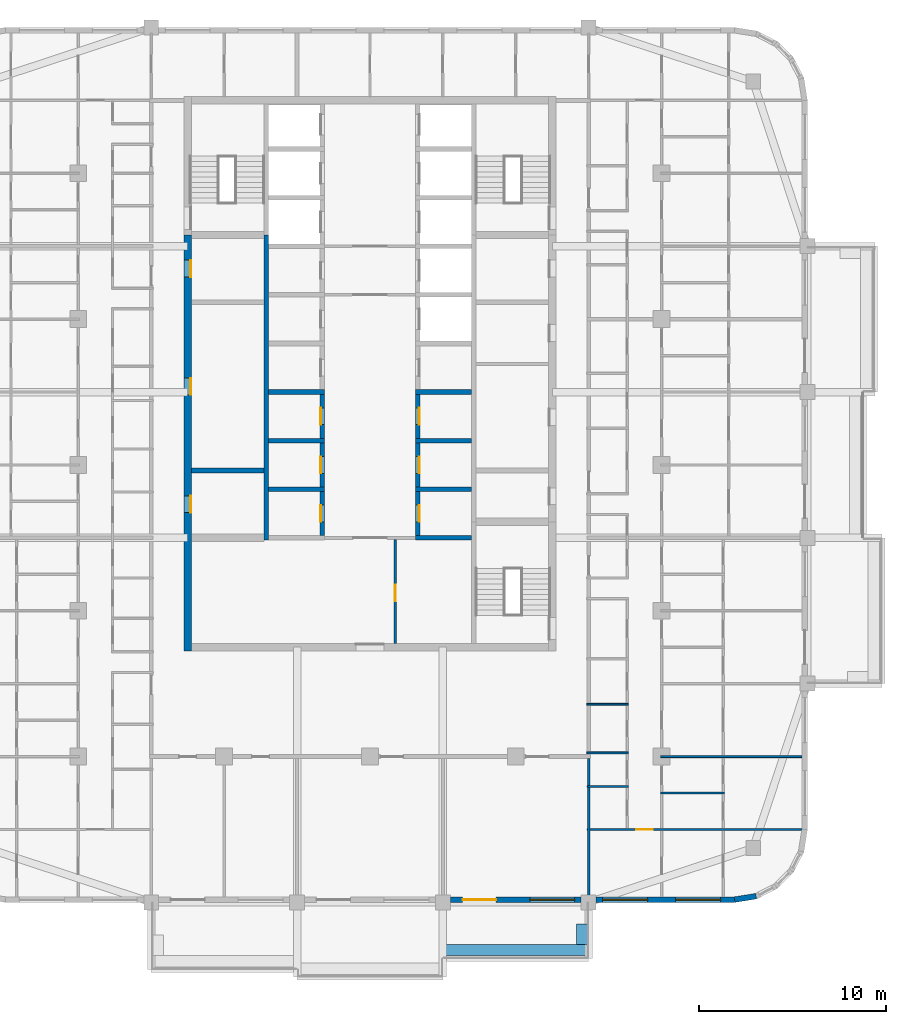
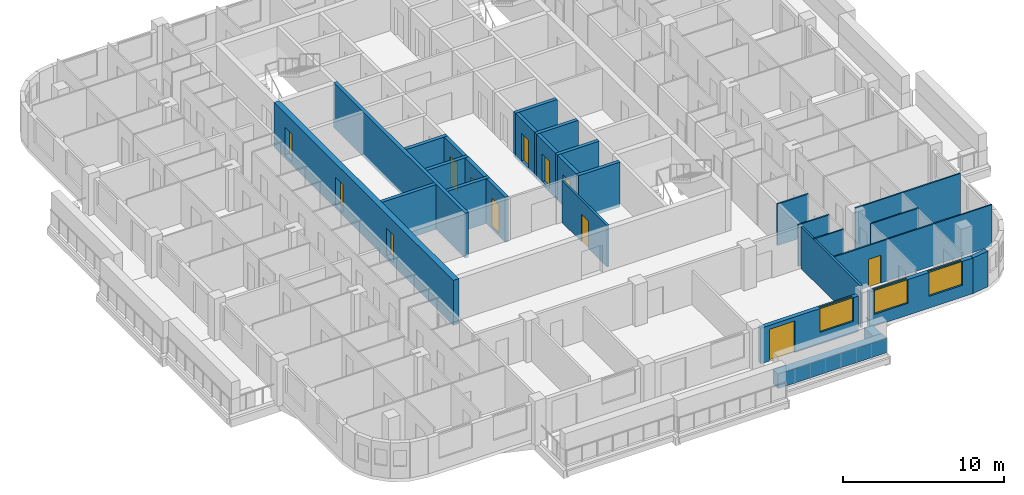
# One storey, part 5 of 16: 29 walls, 12 doors, 3 windows, 15 openings.
"""IFC4 building model written with IfcOpenShell, lengths in metres."""

from ifc_helpers import new_model, si_unit, direction, frame, frame_2d, origin, place, context, subcontext, project, spatial, rectangle, extrude, material, layer, layer_set, type_object, element, fill, save


model = new_model("IFC4")

# Units and contexts
model_context = context("Model", 3, precision=1e-05, world=origin(), true_north=direction((0.0, 1.0)))
body_context = subcontext(model_context, "Body", "Model", "MODEL_VIEW")
ifc_project = project(units=[si_unit("LENGTHUNIT", "METRE"), si_unit("AREAUNIT", "SQUARE_METRE"), si_unit("VOLUMEUNIT", "CUBIC_METRE"), si_unit("PLANEANGLEUNIT", "RADIAN"), si_unit("MASSUNIT", "GRAM", prefix="KILO")], contexts=[model_context])

# Site, building, storey
site_placement = place(None, origin())
site = spatial("IfcSite", under=ifc_project, at=site_placement, CompositionType="ELEMENT")
building_placement = place(site_placement, origin())
building = spatial("IfcBuilding", under=site, at=building_placement, Name="Ludao Terraces", CompositionType="ELEMENT")
storey_placement = place(building_placement, frame((0.0, 0.0, 204.10009765625)))
storey = spatial("IfcBuildingStorey", under=building, at=storey_placement, Name="L55", CompositionType="ELEMENT", Elevation=204.10009765625)

# Wall, openings, doors
ifc_material_1 = material(Name="Concrete C50", Category="concrete")
ifc_layer_1 = layer(ifc_material_1, 0.39990234375)
ifc_layer_set_1 = layer_set([ifc_layer_1], Name="Core wall 400 C50")
wall_type_1 = type_object("IfcWallType", Name="Core wall 400 C50", PredefinedType="SOLIDWALL", material=ifc_layer_set_1)
wall_1_placement = place(storey_placement, frame((75.25, 55.050048828125, -0.25), z_axis=(0.0, 0.0, 1.0), x_axis=(0.0, 1.0, 0.0)))
wall_1 = element("IfcWall", 1, at=wall_1_placement, inside=storey, type_object=wall_type_1, Name="Core wall L55 outer-W", PredefinedType="SOLIDWALL", context=body_context, shape_type="SweptSolid", body=[
    extrude(rectangle(XDim=22.25, YDim=0.39990234375, at=frame_2d((11.125, 0.0))), origin(), (0.0, 0.0, 1.0), 3.39990234375),
])
opening_1_placement = place(wall_1_placement, frame((7.39990234375, 0.0, 0.25)))
opening_1 = element("IfcOpeningElement", 2, at=opening_1_placement, cuts=wall_1, Name="Opening R20-055", PredefinedType="OPENING", context=body_context, shape_type="SweptSolid", body=[
    extrude(rectangle(XDim=0.89990234375, YDim=2.10009765625, at=frame_2d((0.449951171875, 1.050048828125))), frame((0.0, 0.2099609375, 0.0), z_axis=(0.0, -1.0, 0.0), x_axis=(1.0, 0.0, 0.0)), (0.0, 0.0, 1.0), 0.419921875),
])
opening_2_placement = place(wall_1_placement, frame((13.699951171875, 0.0, 0.25)))
opening_2 = element("IfcOpeningElement", 3, at=opening_2_placement, cuts=wall_1, Name="Opening R20-075", PredefinedType="OPENING", context=body_context, shape_type="SweptSolid", body=[
    extrude(rectangle(XDim=0.89990234375, YDim=2.10009765625, at=frame_2d((0.449951171875, 1.050048828125))), frame((0.0, 0.2099609375, 0.0), z_axis=(0.0, -1.0, 0.0), x_axis=(1.0, 0.0, 0.0)), (0.0, 0.0, 1.0), 0.419921875),
])
opening_3_placement = place(wall_1_placement, frame((20.0, 0.0, 0.25)))
opening_3 = element("IfcOpeningElement", 4, at=opening_3_placement, cuts=wall_1, Name="Opening R20-096", PredefinedType="OPENING", context=body_context, shape_type="SweptSolid", body=[
    extrude(rectangle(XDim=0.89990234375, YDim=2.10009765625, at=frame_2d((0.449951171875, 1.050048828125))), frame((0.0, 0.2099609375, 0.0), z_axis=(0.0, -1.0, 0.0), x_axis=(1.0, 0.0, 0.0)), (0.0, 0.0, 1.0), 0.419921875),
])
ifc_material_2 = material(Name="Steel Q235", Category="steel")
door_type_1 = type_object("IfcDoorType", Name="INT Riser door 900", OperationType="SINGLE_SWING_LEFT", PredefinedType="DOOR", material=ifc_material_2)
door_1_placement = place(opening_1_placement, origin())
door_1 = element("IfcDoor", 5, at=door_1_placement, inside=storey, type_object=door_type_1, Name="DOOR 055", OperationType="SINGLE_SWING_RIGHT", OverallHeight=2.10009765625, OverallWidth=0.89990234375, PredefinedType="DOOR", context=body_context, shape_type="SweptSolid", body=[
    extrude(rectangle(XDim=0.89990234375, YDim=2.10009765625, at=frame_2d((0.449951171875, 1.050048828125))), frame((0.0, -0.134765625, 0.0), z_axis=(0.0, -1.0, 0.0), x_axis=(1.0, 0.0, 0.0)), (0.0, 0.0, 1.0), 0.050048828125),
])
fill(opening_1, door_1)
door_2_placement = place(opening_3_placement, origin())
door_2 = element("IfcDoor", 6, at=door_2_placement, inside=storey, type_object=door_type_1, Name="DOOR 096", OperationType="SINGLE_SWING_LEFT", OverallHeight=2.10009765625, OverallWidth=0.89990234375, PredefinedType="DOOR", context=body_context, shape_type="SweptSolid", body=[
    extrude(rectangle(XDim=0.89990234375, YDim=2.10009765625, at=frame_2d((0.449951171875, 1.050048828125))), frame((0.0, -0.134765625, 0.0), z_axis=(0.0, -1.0, 0.0), x_axis=(1.0, 0.0, 0.0)), (0.0, 0.0, 1.0), 0.050048828125),
])
fill(opening_3, door_2)
ifc_material_3 = material(Name="Timber door leaf", Category="wood")
door_type_2 = type_object("IfcDoorType", Name="INT Room door 900", OperationType="SINGLE_SWING_LEFT", PredefinedType="DOOR", material=ifc_material_3)
door_3_placement = place(opening_2_placement, origin())
door_3 = element("IfcDoor", 7, at=door_3_placement, inside=storey, type_object=door_type_2, Name="DOOR 075", OperationType="SINGLE_SWING_RIGHT", OverallHeight=2.10009765625, OverallWidth=0.89990234375, PredefinedType="DOOR", context=body_context, shape_type="SweptSolid", body=[
    extrude(rectangle(XDim=0.89990234375, YDim=2.10009765625, at=frame_2d((0.449951171875, 1.050048828125))), frame((0.0, -0.134765625, 0.0), z_axis=(0.0, -1.0, 0.0), x_axis=(1.0, 0.0, 0.0)), (0.0, 0.0, 1.0), 0.050048828125),
])
fill(opening_2, door_3)

# Walls
ifc_material_4 = material(Name="Concrete C40", Category="concrete")
ifc_layer_2 = layer(ifc_material_4, 0.60009765625)
ifc_layer_set_2 = layer_set([ifc_layer_2], Name="ENV Planter trough 600")
wall_type_2 = type_object("IfcWallType", Name="ENV Planter trough 600", PredefinedType="USERDEFINED", material=ifc_layer_set_2)
wall_2_placement = place(storey_placement, frame((88.89990234375, 39.050048828125, 0.0), z_axis=(0.0, 0.0, 1.0), x_axis=(1.0, 0.0, 0.0)))
element("IfcWall", 8, at=wall_2_placement, inside=storey, type_object=wall_type_2, Name="PL-L55-S3", ObjectType="PLANTER", PredefinedType="USERDEFINED", context=body_context, shape_type="SweptSolid", body=[
    extrude(rectangle(XDim=7.800048828125, YDim=0.60009765625, at=frame_2d((3.89990234375, 0.0))), origin(), (0.0, 0.0, 1.0), 1.099853515625),
])
wall_3_placement = place(storey_placement, frame((96.35009765625, 39.35009765625, 0.0), z_axis=(0.0, 0.0, 1.0), x_axis=(0.0, 1.0, 0.0)))
element("IfcWall", 9, at=wall_3_placement, inside=storey, type_object=wall_type_2, Name="PL-L55-S3-SB", ObjectType="PLANTER", PredefinedType="USERDEFINED", context=body_context, shape_type="SweptSolid", body=[
    extrude(rectangle(XDim=1.099853515625, YDim=0.60009765625, at=frame_2d((0.5498046875, 0.0))), origin(), (0.0, 0.0, 1.0), 1.099853515625),
])

# Wall, openings, door, window
ifc_material_5 = material(Name="Granite cladding", Category="masonry")
ifc_layer_3 = layer(ifc_material_5, 0.0400390625, Category="stone")
ifc_material_6 = material(Name="Mineral wool")
ifc_layer_4 = layer(ifc_material_6, 0.06005859375)
ifc_layer_5 = layer(ifc_material_4, 0.199951171875, Category="concrete")
ifc_layer_set_3 = layer_set([ifc_layer_3, ifc_layer_4, ifc_layer_5], Name="ENV Stone-clad wall 300")
wall_type_3 = type_object("IfcWallType", Name="ENV Stone-clad wall 300", PredefinedType="SOLIDWALL", material=ifc_layer_set_3)
wall_4_placement = place(storey_placement, frame((89.300048828125, 41.75, 0.0), z_axis=(0.0, 0.0, 1.0), x_axis=(1.0, 0.0, 0.0)))
wall_4 = element("IfcWall", 10, at=wall_4_placement, inside=storey, type_object=wall_type_3, Name="EW-L55-S4", PredefinedType="SOLIDWALL", context=body_context, shape_type="SweptSolid", body=[
    extrude(rectangle(XDim=7.0, YDim=0.300048828125, at=frame_2d((3.5, 0.0))), origin(), (0.0, 0.0, 1.0), 2.699951171875),
])
opening_4_placement = place(wall_4_placement, frame((0.64990234375, 0.0, 0.0)))
opening_4 = element("IfcOpeningElement", 11, at=opening_4_placement, cuts=wall_4, Name="Opening BD", PredefinedType="OPENING", context=body_context, shape_type="SweptSolid", body=[
    extrude(rectangle(XDim=1.800048828125, YDim=2.39990234375, at=frame_2d((0.89990234375, 1.199951171875))), frame((0.0, 0.16015625, 0.0), z_axis=(0.0, -1.0, 0.0), x_axis=(1.0, 0.0, 0.0)), (0.0, 0.0, 1.0), 0.320068359375),
])
opening_5_placement = place(wall_4_placement, frame((4.25, 0.0, 0.89990234375)))
opening_5 = element("IfcOpeningElement", 12, at=opening_5_placement, cuts=wall_4, Name="Opening W1", PredefinedType="OPENING", context=body_context, shape_type="SweptSolid", body=[
    extrude(rectangle(XDim=2.39990234375, YDim=1.800048828125, at=frame_2d((1.199951171875, 0.89990234375))), frame((0.0, 0.16015625, 0.0), z_axis=(0.0, -1.0, 0.0), x_axis=(1.0, 0.0, 0.0)), (0.0, 0.0, 1.0), 0.320068359375),
])
ifc_material_7 = material(Name="Aluminium glazed door", Category="aluminium")
ifc_layer_6 = layer(ifc_material_7, 0.06005859375)
ifc_layer_set_4 = layer_set([ifc_layer_6], Name="ENV Balcony door BD 1800x2400")
door_type_3 = type_object("IfcDoorType", Name="ENV Balcony door BD 1800x2400", OperationType="DOUBLE_DOOR_SINGLE_SWING", PredefinedType="DOOR", material=ifc_layer_set_4)
door_4_placement = place(opening_4_placement, origin())
door_4 = element("IfcDoor", 13, at=door_4_placement, inside=storey, type_object=door_type_3, Name="BD-L55-S4-1", OperationType="DOUBLE_DOOR_SINGLE_SWING", OverallHeight=2.39990234375, OverallWidth=1.800048828125, PredefinedType="DOOR", context=body_context, shape_type="SweptSolid", body=[
    extrude(rectangle(XDim=1.800048828125, YDim=2.39990234375, at=frame_2d((0.89990234375, 1.199951171875))), frame((0.0, 0.02490234375, 0.0), z_axis=(0.0, -1.0, 0.0), x_axis=(1.0, 0.0, 0.0)), (0.0, 0.0, 1.0), 0.050048828125),
])
fill(opening_4, door_4)
ifc_material_8 = material(Name="Clear glass in aluminium frame", Category="aluminium")
ifc_layer_7 = layer(ifc_material_8, 0.06005859375)
ifc_layer_set_5 = layer_set([ifc_layer_7], Name="ENV Window W1 2400x1800")
window_type = type_object("IfcWindowType", Name="ENV Window W1 2400x1800", PartitioningType="DOUBLE_PANEL_VERTICAL", PredefinedType="WINDOW", material=ifc_layer_set_5)
window_1_placement = place(opening_5_placement, origin())
window_1 = element("IfcWindow", 14, at=window_1_placement, inside=storey, type_object=window_type, Name="W-L55-S4-2", OverallHeight=1.800048828125, OverallWidth=2.39990234375, PartitioningType="DOUBLE_PANEL_VERTICAL", PredefinedType="WINDOW", context=body_context, shape_type="SweptSolid", body=[
    extrude(rectangle(XDim=2.39990234375, YDim=1.800048828125, at=frame_2d((1.199951171875, 0.89990234375))), frame((0.0, 0.030029296875, 0.0), z_axis=(0.0, -1.0, 0.0), x_axis=(1.0, 0.0, 0.0)), (0.0, 0.0, 1.0), 0.06005859375),
])
fill(opening_5, window_1)

# Wall, openings, windows
wall_5_placement = place(storey_placement, frame((97.10009765625, 41.75, 0.0), z_axis=(0.0, 0.0, 1.0), x_axis=(1.0, 0.0, 0.0)))
wall_5 = element("IfcWall", 15, at=wall_5_placement, inside=storey, type_object=wall_type_3, Name="EW-L55-S5", PredefinedType="SOLIDWALL", context=body_context, shape_type="SweptSolid", body=[
    extrude(rectangle(XDim=7.39990234375, YDim=0.300048828125, at=frame_2d((3.699951171875, 0.0))), origin(), (0.0, 0.0, 1.0), 2.699951171875),
])
opening_6_placement = place(wall_5_placement, frame((0.35009765625, 0.0, 0.89990234375)))
opening_6 = element("IfcOpeningElement", 16, at=opening_6_placement, cuts=wall_5, Name="Opening W1", PredefinedType="OPENING", context=body_context, shape_type="SweptSolid", body=[
    extrude(rectangle(XDim=2.39990234375, YDim=1.800048828125, at=frame_2d((1.199951171875, 0.89990234375))), frame((0.0, 0.16015625, 0.0), z_axis=(0.0, -1.0, 0.0), x_axis=(1.0, 0.0, 0.0)), (0.0, 0.0, 1.0), 0.320068359375),
])
opening_7_placement = place(wall_5_placement, frame((4.25, 0.0, 0.89990234375)))
opening_7 = element("IfcOpeningElement", 17, at=opening_7_placement, cuts=wall_5, Name="Opening W1", PredefinedType="OPENING", context=body_context, shape_type="SweptSolid", body=[
    extrude(rectangle(XDim=2.39990234375, YDim=1.800048828125, at=frame_2d((1.199951171875, 0.89990234375))), frame((0.0, 0.16015625, 0.0), z_axis=(0.0, -1.0, 0.0), x_axis=(1.0, 0.0, 0.0)), (0.0, 0.0, 1.0), 0.320068359375),
])
window_2_placement = place(opening_6_placement, origin())
window_2 = element("IfcWindow", 18, at=window_2_placement, inside=storey, type_object=window_type, Name="W-L55-S5-1", OverallHeight=1.800048828125, OverallWidth=2.39990234375, PartitioningType="DOUBLE_PANEL_VERTICAL", PredefinedType="WINDOW", context=body_context, shape_type="SweptSolid", body=[
    extrude(rectangle(XDim=2.39990234375, YDim=1.800048828125, at=frame_2d((1.199951171875, 0.89990234375))), frame((0.0, 0.030029296875, 0.0), z_axis=(0.0, -1.0, 0.0), x_axis=(1.0, 0.0, 0.0)), (0.0, 0.0, 1.0), 0.06005859375),
])
fill(opening_6, window_2)
window_3_placement = place(opening_7_placement, origin())
window_3 = element("IfcWindow", 19, at=window_3_placement, inside=storey, type_object=window_type, Name="W-L55-S5-2", OverallHeight=1.800048828125, OverallWidth=2.39990234375, PartitioningType="DOUBLE_PANEL_VERTICAL", PredefinedType="WINDOW", context=body_context, shape_type="SweptSolid", body=[
    extrude(rectangle(XDim=2.39990234375, YDim=1.800048828125, at=frame_2d((1.199951171875, 0.89990234375))), frame((0.0, 0.030029296875, 0.0), z_axis=(0.0, -1.0, 0.0), x_axis=(1.0, 0.0, 0.0)), (0.0, 0.0, 1.0), 0.06005859375),
])
fill(opening_7, window_3)

# Wall
wall_6_placement = place(storey_placement, frame((104.5, 41.75, 0.0), z_axis=(0.0, 0.0, 1.0), x_axis=(0.987678452879, 0.156496880861, 0.0)))
element("IfcWall", 20, at=wall_6_placement, inside=storey, type_object=wall_type_3, Name="EW-L55-SE1", PredefinedType="SOLIDWALL", context=body_context, shape_type="SweptSolid", body=[
    extrude(rectangle(XDim=1.173095703125, YDim=0.300048828125, at=frame_2d((0.58642578125, 0.0))), origin(), (0.0, 0.0, 1.0), 2.699951171875),
])

# Wall, opening, door
ifc_material_9 = material(Name="Fire-rated gypsum plasterboard", Category="gypsum")
ifc_layer_8 = layer(ifc_material_9, 0.012451171875, Category="gypsum")
ifc_layer_9 = layer(ifc_material_6, 0.10009765625, Name="insulation")
ifc_layer_10 = layer(ifc_material_2, 0.02490234375, Name="stud")
ifc_layer_11 = layer(ifc_material_9, 0.012451171875, Category="gypsum")
ifc_layer_set_6 = layer_set([ifc_layer_8, ifc_layer_9, ifc_layer_10, ifc_layer_11], Name="INT Core partition 150")
wall_type_4 = type_object("IfcWallType", Name="INT Core partition 150", PredefinedType="PARTITIONING", material=ifc_layer_set_6)
wall_7_placement = place(storey_placement, frame((86.35009765625, 55.4501953125, 0.0), z_axis=(0.0, 0.0, 1.0), x_axis=(0.0, 1.0, 0.0)))
wall_7 = element("IfcWall", 21, at=wall_7_placement, inside=storey, type_object=wall_type_4, Name="PW-L55-PW085", PredefinedType="PARTITIONING", context=body_context, shape_type="SweptSolid", body=[
    extrude(rectangle(XDim=5.574951171875, YDim=0.14990234375, at=frame_2d((2.78759765625, 0.0))), origin(), (0.0, 0.0, 1.0), 3.14990234375),
])
opening_8_placement = place(wall_7_placement, frame((2.25, 0.0, 0.0)))
opening_8 = element("IfcOpeningElement", 22, at=opening_8_placement, cuts=wall_7, Name="Opening R20-039", PredefinedType="OPENING", context=body_context, shape_type="SweptSolid", body=[
    extrude(rectangle(XDim=0.89990234375, YDim=2.10009765625, at=frame_2d((0.449951171875, 1.050048828125))), frame((0.0, 0.0849609375, 0.0), z_axis=(0.0, -1.0, 0.0), x_axis=(1.0, 0.0, 0.0)), (0.0, 0.0, 1.0), 0.169921875),
])
door_5_placement = place(opening_8_placement, origin())
door_5 = element("IfcDoor", 23, at=door_5_placement, inside=storey, type_object=door_type_2, Name="DOOR 039", OperationType="SINGLE_SWING_RIGHT", OverallHeight=2.10009765625, OverallWidth=0.89990234375, PredefinedType="DOOR", context=body_context, shape_type="SweptSolid", body=[
    extrude(rectangle(XDim=0.89990234375, YDim=2.10009765625, at=frame_2d((0.449951171875, 1.050048828125))), frame((0.0, 0.02490234375, 0.0), z_axis=(0.0, -1.0, 0.0), x_axis=(1.0, 0.0, 0.0)), (0.0, 0.0, 1.0), 0.050048828125),
])
fill(opening_8, door_5)

ifc_material_10 = material(Name="Gypsum plasterboard", Category="gypsum")
ifc_layer_12 = layer(ifc_material_10, 0.012451171875, Category="gypsum")
ifc_layer_13 = layer(ifc_material_6, 0.06005859375, Name="insulation")
ifc_layer_14 = layer(ifc_material_2, 0.014892578125, Name="stud")
ifc_layer_15 = layer(ifc_material_10, 0.012451171875, Category="gypsum")
ifc_layer_set_7 = layer_set([ifc_layer_12, ifc_layer_13, ifc_layer_14, ifc_layer_15], Name="INT Partition 100")
wall_type_5 = type_object("IfcWallType", Name="INT Partition 100", PredefinedType="PARTITIONING", material=ifc_layer_set_7)
wall_8_placement = place(storey_placement, frame((96.625, 45.5, 0.0), z_axis=(0.0, 0.0, 1.0), x_axis=(1.0, 0.0, 0.0)))
wall_8 = element("IfcWall", 24, at=wall_8_placement, inside=storey, type_object=wall_type_5, Name="PW-L55-PW001", PredefinedType="PARTITIONING", context=body_context, shape_type="SweptSolid", body=[
    extrude(rectangle(XDim=11.47509765625, YDim=0.10009765625, at=frame_2d((5.737548828125, 0.0))), origin(), (0.0, 0.0, 1.0), 3.14990234375),
])
opening_9_placement = place(wall_8_placement, frame((2.610107421875, 0.0, 0.0)))
opening_9 = element("IfcOpeningElement", 25, at=opening_9_placement, cuts=wall_8, Name="Opening R20-006", PredefinedType="OPENING", context=body_context, shape_type="SweptSolid", body=[
    extrude(rectangle(XDim=0.89990234375, YDim=2.10009765625, at=frame_2d((0.449951171875, 1.050048828125))), frame((0.0, 0.06005859375, 0.0), z_axis=(0.0, -1.0, 0.0), x_axis=(1.0, 0.0, 0.0)), (0.0, 0.0, 1.0), 0.1201171875),
])
door_6_placement = place(opening_9_placement, origin())
door_6 = element("IfcDoor", 26, at=door_6_placement, inside=storey, type_object=door_type_2, Name="DOOR 006", OperationType="SINGLE_SWING_LEFT", OverallHeight=2.10009765625, OverallWidth=0.89990234375, PredefinedType="DOOR", context=body_context, shape_type="SweptSolid", body=[
    extrude(rectangle(XDim=0.89990234375, YDim=2.10009765625, at=frame_2d((0.449951171875, 1.050048828125))), frame((0.0, 0.02490234375, 0.0), z_axis=(0.0, -1.0, 0.0), x_axis=(1.0, 0.0, 0.0)), (0.0, 0.0, 1.0), 0.050048828125),
])
fill(opening_9, door_6)

# Walls
wall_9_placement = place(storey_placement, frame((100.550048828125, 47.449951171875, 0.0), z_axis=(0.0, 0.0, 1.0), x_axis=(1.0, 0.0, 0.0)))
element("IfcWall", 27, at=wall_9_placement, inside=storey, type_object=wall_type_5, Name="PW-L55-PW002", PredefinedType="PARTITIONING", context=body_context, shape_type="SweptSolid", body=[
    extrude(rectangle(XDim=3.400146484375, YDim=0.10009765625, at=frame_2d((1.7001953125, 0.0))), origin(), (0.0, 0.0, 1.0), 3.14990234375),
])
wall_10_placement = place(storey_placement, frame((96.625, 47.800048828125, 0.0), z_axis=(0.0, 0.0, 1.0), x_axis=(1.0, 0.0, 0.0)))
element("IfcWall", 28, at=wall_10_placement, inside=storey, type_object=wall_type_5, Name="PW-L55-PW003", PredefinedType="PARTITIONING", context=body_context, shape_type="SweptSolid", body=[
    extrude(rectangle(XDim=2.195068359375, YDim=0.10009765625, at=frame_2d((1.09765625, 0.0))), origin(), (0.0, 0.0, 1.0), 3.14990234375),
])
wall_11_placement = place(storey_placement, frame((100.550048828125, 49.39990234375, 0.0), z_axis=(0.0, 0.0, 1.0), x_axis=(1.0, 0.0, 0.0)))
element("IfcWall", 29, at=wall_11_placement, inside=storey, type_object=wall_type_5, Name="PW-L55-PW007", PredefinedType="PARTITIONING", context=body_context, shape_type="SweptSolid", body=[
    extrude(rectangle(XDim=7.550048828125, YDim=0.10009765625, at=frame_2d((3.77490234375, 0.0))), origin(), (0.0, 0.0, 1.0), 3.14990234375),
])
for number, where, z_axis, x_axis, name in (
    (30, (96.60009765625, 49.60009765625, 0.0), (0.0, 0.0, 1.0), (1.0, 0.0, 0.0), "PW-L55-PW008"),
    (31, (96.60009765625, 52.199951171875, 0.0), (0.0, 0.0, 1.0), (1.0, 0.0, 0.0), "PW-L55-PW011"),
):
    element("IfcWall", number, at=place(storey_placement, frame(where, z_axis=z_axis, x_axis=x_axis)), inside=storey, type_object=wall_type_5, Name=name, PredefinedType="PARTITIONING", context=body_context, shape_type="SweptSolid", body=[
        extrude(rectangle(XDim=2.219970703125, YDim=0.10009765625, at=frame_2d((1.10986328125, 0.0))), origin(), (0.0, 0.0, 1.0), 3.14990234375),
    ])
ifc_material_11 = material(Name="Autoclaved aerated concrete block B06 A3.5", Category="concrete")
ifc_layer_16 = layer(ifc_material_11, 0.14990234375)
ifc_layer_set_8 = layer_set([ifc_layer_16], Name="INT Party wall 150")
wall_type_6 = type_object("IfcWallType", Name="INT Party wall 150", PredefinedType="PARTITIONING", material=ifc_layer_set_8)
wall_12_placement = place(storey_placement, frame((96.699951171875, 41.900146484375, 0.0), z_axis=(0.0, 0.0, 1.0), x_axis=(0.0, 1.0, 0.0)))
element("IfcWall", 32, at=wall_12_placement, inside=storey, type_object=wall_type_6, Name="PW-L55-PW089", PredefinedType="PARTITIONING", context=body_context, shape_type="SweptSolid", body=[
    extrude(rectangle(XDim=7.39990234375, YDim=0.14990234375, at=frame_2d((3.699951171875, 0.0))), origin(), (0.0, 0.0, 1.0), 3.14990234375),
])
ifc_layer_17 = layer(ifc_material_1, 0.25)
ifc_layer_set_9 = layer_set([ifc_layer_17], Name="Shaft wall 250 C50")
wall_type_7 = type_object("IfcWallType", Name="Shaft wall 250 C50", PredefinedType="SOLIDWALL", material=ifc_layer_set_9)
wall_13_placement = place(storey_placement, frame((79.449951171875, 60.97509765625, -0.25), z_axis=(0.0, 0.0, 1.0), x_axis=(0.0, 1.0, 0.0)))
element("IfcWall", 33, at=wall_13_placement, inside=storey, type_object=wall_type_7, Name="Core wall L55 back-W", PredefinedType="SOLIDWALL", context=body_context, shape_type="SweptSolid", body=[
    extrude(rectangle(XDim=16.324951171875, YDim=0.25, at=frame_2d((8.16259765625, 0.0))), origin(), (0.0, 0.0, 1.0), 3.39990234375),
])

# Wall, opening, door
wall_14_placement = place(storey_placement, frame((82.449951171875, 61.22509765625, -0.25), z_axis=(0.0, 0.0, 1.0), x_axis=(0.0, 1.0, 0.0)))
wall_14 = element("IfcWall", 34, at=wall_14_placement, inside=storey, type_object=wall_type_7, Name="Core wall L55 front-W1", PredefinedType="SOLIDWALL", context=body_context, shape_type="SweptSolid", body=[
    extrude(rectangle(XDim=2.349853515625, YDim=0.25, at=frame_2d((1.1748046875, 0.0))), origin(), (0.0, 0.0, 1.0), 3.39990234375),
])
opening_10_placement = place(wall_14_placement, frame((0.72509765625, 0.0, 0.25)))
opening_10 = element("IfcOpeningElement", 35, at=opening_10_placement, cuts=wall_14, Name="Opening R20-053", PredefinedType="OPENING", context=body_context, shape_type="SweptSolid", body=[
    extrude(rectangle(XDim=0.89990234375, YDim=2.10009765625, at=frame_2d((0.449951171875, 1.050048828125))), frame((0.0, 0.135009765625, 0.0), z_axis=(0.0, -1.0, 0.0), x_axis=(1.0, 0.0, 0.0)), (0.0, 0.0, 1.0), 0.27001953125),
])
door_7_placement = place(opening_10_placement, origin())
door_7 = element("IfcDoor", 36, at=door_7_placement, inside=storey, type_object=door_type_2, Name="DOOR 053", OperationType="SINGLE_SWING_LEFT", OverallHeight=2.10009765625, OverallWidth=0.89990234375, PredefinedType="DOOR", context=body_context, shape_type="SweptSolid", body=[
    extrude(rectangle(XDim=0.89990234375, YDim=2.10009765625, at=frame_2d((0.449951171875, 1.050048828125))), frame((0.0, 0.10986328125, 0.0), z_axis=(0.0, -1.0, 0.0), x_axis=(1.0, 0.0, 0.0)), (0.0, 0.0, 1.0), 0.050048828125),
])
fill(opening_10, door_7)

# Wall
wall_15_placement = place(storey_placement, frame((79.574951171875, 63.699951171875, -0.25), z_axis=(0.0, 0.0, 1.0), x_axis=(1.0, 0.0, 0.0)))
element("IfcWall", 37, at=wall_15_placement, inside=storey, type_object=wall_type_7, Name="Core wall L55 div-W2", PredefinedType="SOLIDWALL", context=body_context, shape_type="SweptSolid", body=[
    extrude(rectangle(XDim=3.0, YDim=0.25, at=frame_2d((1.5, 0.0))), origin(), (0.0, 0.0, 1.0), 3.39990234375),
])

# Wall, opening, door
wall_16_placement = place(storey_placement, frame((82.449951171875, 63.824951171875, -0.25), z_axis=(0.0, 0.0, 1.0), x_axis=(0.0, 1.0, 0.0)))
wall_16 = element("IfcWall", 38, at=wall_16_placement, inside=storey, type_object=wall_type_7, Name="Core wall L55 front-W2", PredefinedType="SOLIDWALL", context=body_context, shape_type="SweptSolid", body=[
    extrude(rectangle(XDim=2.35009765625, YDim=0.25, at=frame_2d((1.175048828125, 0.0))), origin(), (0.0, 0.0, 1.0), 3.39990234375),
])
opening_11_placement = place(wall_16_placement, frame((0.72509765625, 0.0, 0.25)))
opening_11 = element("IfcOpeningElement", 39, at=opening_11_placement, cuts=wall_16, Name="Opening R20-063", PredefinedType="OPENING", context=body_context, shape_type="SweptSolid", body=[
    extrude(rectangle(XDim=0.89990234375, YDim=2.10009765625, at=frame_2d((0.449951171875, 1.050048828125))), frame((0.0, 0.135009765625, 0.0), z_axis=(0.0, -1.0, 0.0), x_axis=(1.0, 0.0, 0.0)), (0.0, 0.0, 1.0), 0.27001953125),
])
door_8_placement = place(opening_11_placement, origin())
door_8 = element("IfcDoor", 40, at=door_8_placement, inside=storey, type_object=door_type_2, Name="DOOR 063", OperationType="SINGLE_SWING_LEFT", OverallHeight=2.10009765625, OverallWidth=0.89990234375, PredefinedType="DOOR", context=body_context, shape_type="SweptSolid", body=[
    extrude(rectangle(XDim=0.89990234375, YDim=2.10009765625, at=frame_2d((0.449951171875, 1.050048828125))), frame((0.0, 0.10986328125, 0.0), z_axis=(0.0, -1.0, 0.0), x_axis=(1.0, 0.0, 0.0)), (0.0, 0.0, 1.0), 0.050048828125),
])
fill(opening_11, door_8)

# Wall
wall_17_placement = place(storey_placement, frame((79.574951171875, 66.300048828125, -0.25), z_axis=(0.0, 0.0, 1.0), x_axis=(1.0, 0.0, 0.0)))
element("IfcWall", 41, at=wall_17_placement, inside=storey, type_object=wall_type_7, Name="Core wall L55 div-W3", PredefinedType="SOLIDWALL", context=body_context, shape_type="SweptSolid", body=[
    extrude(rectangle(XDim=3.0, YDim=0.25, at=frame_2d((1.5, 0.0))), origin(), (0.0, 0.0, 1.0), 3.39990234375),
])

# Wall, opening, door
wall_18_placement = place(storey_placement, frame((82.449951171875, 66.425048828125, -0.25), z_axis=(0.0, 0.0, 1.0), x_axis=(0.0, 1.0, 0.0)))
wall_18 = element("IfcWall", 42, at=wall_18_placement, inside=storey, type_object=wall_type_7, Name="Core wall L55 front-W3", PredefinedType="SOLIDWALL", context=body_context, shape_type="SweptSolid", body=[
    extrude(rectangle(XDim=2.349853515625, YDim=0.25, at=frame_2d((1.1748046875, 0.0))), origin(), (0.0, 0.0, 1.0), 3.39990234375),
])
opening_12_placement = place(wall_18_placement, frame((0.72509765625, 0.0, 0.25)))
opening_12 = element("IfcOpeningElement", 43, at=opening_12_placement, cuts=wall_18, Name="Opening R20-072", PredefinedType="OPENING", context=body_context, shape_type="SweptSolid", body=[
    extrude(rectangle(XDim=0.89990234375, YDim=2.10009765625, at=frame_2d((0.449951171875, 1.050048828125))), frame((0.0, 0.135009765625, 0.0), z_axis=(0.0, -1.0, 0.0), x_axis=(1.0, 0.0, 0.0)), (0.0, 0.0, 1.0), 0.27001953125),
])
door_9_placement = place(opening_12_placement, origin())
door_9 = element("IfcDoor", 44, at=door_9_placement, inside=storey, type_object=door_type_2, Name="DOOR 072", OperationType="SINGLE_SWING_LEFT", OverallHeight=2.10009765625, OverallWidth=0.89990234375, PredefinedType="DOOR", context=body_context, shape_type="SweptSolid", body=[
    extrude(rectangle(XDim=0.89990234375, YDim=2.10009765625, at=frame_2d((0.449951171875, 1.050048828125))), frame((0.0, 0.10986328125, 0.0), z_axis=(0.0, -1.0, 0.0), x_axis=(1.0, 0.0, 0.0)), (0.0, 0.0, 1.0), 0.050048828125),
])
fill(opening_12, door_9)

# Walls
for number, where, z_axis, x_axis, name in (
    (45, (79.574951171875, 68.89990234375, -0.25), (0.0, 0.0, 1.0), (1.0, 0.0, 0.0), "Core wall L55 div-W4"),
    (46, (87.425048828125, 61.10009765625, -0.25), (0.0, 0.0, 1.0), (1.0, 0.0, 0.0), "Core wall L55 div-E1"),
):
    element("IfcWall", number, at=place(storey_placement, frame(where, z_axis=z_axis, x_axis=x_axis)), inside=storey, type_object=wall_type_7, Name=name, PredefinedType="SOLIDWALL", context=body_context, shape_type="SweptSolid", body=[
        extrude(rectangle(XDim=3.0, YDim=0.25, at=frame_2d((1.5, 0.0))), origin(), (0.0, 0.0, 1.0), 3.39990234375),
    ])

# Wall, opening, door
wall_19_placement = place(storey_placement, frame((87.550048828125, 61.22509765625, -0.25), z_axis=(0.0, 0.0, 1.0), x_axis=(0.0, 1.0, 0.0)))
wall_19 = element("IfcWall", 47, at=wall_19_placement, inside=storey, type_object=wall_type_7, Name="Core wall L55 front-E1", PredefinedType="SOLIDWALL", context=body_context, shape_type="SweptSolid", body=[
    extrude(rectangle(XDim=2.349853515625, YDim=0.25, at=frame_2d((1.1748046875, 0.0))), origin(), (0.0, 0.0, 1.0), 3.39990234375),
])
opening_13_placement = place(wall_19_placement, frame((0.72509765625, 0.0, 0.25)))
opening_13 = element("IfcOpeningElement", 48, at=opening_13_placement, cuts=wall_19, Name="Opening R20-054", PredefinedType="OPENING", context=body_context, shape_type="SweptSolid", body=[
    extrude(rectangle(XDim=0.89990234375, YDim=2.10009765625, at=frame_2d((0.449951171875, 1.050048828125))), frame((0.0, 0.135009765625, 0.0), z_axis=(0.0, -1.0, 0.0), x_axis=(1.0, 0.0, 0.0)), (0.0, 0.0, 1.0), 0.27001953125),
])
door_10_placement = place(opening_13_placement, origin())
door_10 = element("IfcDoor", 49, at=door_10_placement, inside=storey, type_object=door_type_2, Name="DOOR 054", OperationType="SINGLE_SWING_RIGHT", OverallHeight=2.10009765625, OverallWidth=0.89990234375, PredefinedType="DOOR", context=body_context, shape_type="SweptSolid", body=[
    extrude(rectangle(XDim=0.89990234375, YDim=2.10009765625, at=frame_2d((0.449951171875, 1.050048828125))), frame((0.0, -0.06005859375, 0.0), z_axis=(0.0, -1.0, 0.0), x_axis=(1.0, 0.0, 0.0)), (0.0, 0.0, 1.0), 0.050048828125),
])
fill(opening_13, door_10)

# Wall
wall_20_placement = place(storey_placement, frame((87.425048828125, 63.699951171875, -0.25), z_axis=(0.0, 0.0, 1.0), x_axis=(1.0, 0.0, 0.0)))
element("IfcWall", 50, at=wall_20_placement, inside=storey, type_object=wall_type_7, Name="Core wall L55 div-E2", PredefinedType="SOLIDWALL", context=body_context, shape_type="SweptSolid", body=[
    extrude(rectangle(XDim=3.0, YDim=0.25, at=frame_2d((1.5, 0.0))), origin(), (0.0, 0.0, 1.0), 3.39990234375),
])

# Wall, opening, door
wall_21_placement = place(storey_placement, frame((87.550048828125, 63.824951171875, -0.25), z_axis=(0.0, 0.0, 1.0), x_axis=(0.0, 1.0, 0.0)))
wall_21 = element("IfcWall", 51, at=wall_21_placement, inside=storey, type_object=wall_type_7, Name="Core wall L55 front-E2", PredefinedType="SOLIDWALL", context=body_context, shape_type="SweptSolid", body=[
    extrude(rectangle(XDim=2.35009765625, YDim=0.25, at=frame_2d((1.175048828125, 0.0))), origin(), (0.0, 0.0, 1.0), 3.39990234375),
])
opening_14_placement = place(wall_21_placement, frame((0.72509765625, 0.0, 0.25)))
opening_14 = element("IfcOpeningElement", 52, at=opening_14_placement, cuts=wall_21, Name="Opening R20-064", PredefinedType="OPENING", context=body_context, shape_type="SweptSolid", body=[
    extrude(rectangle(XDim=0.89990234375, YDim=2.10009765625, at=frame_2d((0.449951171875, 1.050048828125))), frame((0.0, 0.135009765625, 0.0), z_axis=(0.0, -1.0, 0.0), x_axis=(1.0, 0.0, 0.0)), (0.0, 0.0, 1.0), 0.27001953125),
])
door_11_placement = place(opening_14_placement, origin())
door_11 = element("IfcDoor", 53, at=door_11_placement, inside=storey, type_object=door_type_2, Name="DOOR 064", OperationType="SINGLE_SWING_RIGHT", OverallHeight=2.10009765625, OverallWidth=0.89990234375, PredefinedType="DOOR", context=body_context, shape_type="SweptSolid", body=[
    extrude(rectangle(XDim=0.89990234375, YDim=2.10009765625, at=frame_2d((0.449951171875, 1.050048828125))), frame((0.0, -0.06005859375, 0.0), z_axis=(0.0, -1.0, 0.0), x_axis=(1.0, 0.0, 0.0)), (0.0, 0.0, 1.0), 0.050048828125),
])
fill(opening_14, door_11)

# Wall
wall_22_placement = place(storey_placement, frame((87.425048828125, 66.300048828125, -0.25), z_axis=(0.0, 0.0, 1.0), x_axis=(1.0, 0.0, 0.0)))
element("IfcWall", 54, at=wall_22_placement, inside=storey, type_object=wall_type_7, Name="Core wall L55 div-E3", PredefinedType="SOLIDWALL", context=body_context, shape_type="SweptSolid", body=[
    extrude(rectangle(XDim=3.0, YDim=0.25, at=frame_2d((1.5, 0.0))), origin(), (0.0, 0.0, 1.0), 3.39990234375),
])

# Wall, opening, door
wall_23_placement = place(storey_placement, frame((87.550048828125, 66.425048828125, -0.25), z_axis=(0.0, 0.0, 1.0), x_axis=(0.0, 1.0, 0.0)))
wall_23 = element("IfcWall", 55, at=wall_23_placement, inside=storey, type_object=wall_type_7, Name="Core wall L55 front-E3", PredefinedType="SOLIDWALL", context=body_context, shape_type="SweptSolid", body=[
    extrude(rectangle(XDim=2.349853515625, YDim=0.25, at=frame_2d((1.1748046875, 0.0))), origin(), (0.0, 0.0, 1.0), 3.39990234375),
])
opening_15_placement = place(wall_23_placement, frame((0.72509765625, 0.0, 0.25)))
opening_15 = element("IfcOpeningElement", 56, at=opening_15_placement, cuts=wall_23, Name="Opening R20-073", PredefinedType="OPENING", context=body_context, shape_type="SweptSolid", body=[
    extrude(rectangle(XDim=0.89990234375, YDim=2.10009765625, at=frame_2d((0.449951171875, 1.050048828125))), frame((0.0, 0.135009765625, 0.0), z_axis=(0.0, -1.0, 0.0), x_axis=(1.0, 0.0, 0.0)), (0.0, 0.0, 1.0), 0.27001953125),
])
door_12_placement = place(opening_15_placement, origin())
door_12 = element("IfcDoor", 57, at=door_12_placement, inside=storey, type_object=door_type_2, Name="DOOR 073", OperationType="SINGLE_SWING_RIGHT", OverallHeight=2.10009765625, OverallWidth=0.89990234375, PredefinedType="DOOR", context=body_context, shape_type="SweptSolid", body=[
    extrude(rectangle(XDim=0.89990234375, YDim=2.10009765625, at=frame_2d((0.449951171875, 1.050048828125))), frame((0.0, -0.06005859375, 0.0), z_axis=(0.0, -1.0, 0.0), x_axis=(1.0, 0.0, 0.0)), (0.0, 0.0, 1.0), 0.050048828125),
])
fill(opening_15, door_12)

# Walls
wall_24_placement = place(storey_placement, frame((87.425048828125, 68.89990234375, -0.25), z_axis=(0.0, 0.0, 1.0), x_axis=(1.0, 0.0, 0.0)))
element("IfcWall", 58, at=wall_24_placement, inside=storey, type_object=wall_type_7, Name="Core wall L55 div-E4", PredefinedType="SOLIDWALL", context=body_context, shape_type="SweptSolid", body=[
    extrude(rectangle(XDim=3.0, YDim=0.25, at=frame_2d((1.5, 0.0))), origin(), (0.0, 0.0, 1.0), 3.39990234375),
])
wall_25_placement = place(storey_placement, frame((75.449951171875, 64.699951171875, -0.25), z_axis=(0.0, 0.0, 1.0), x_axis=(1.0, 0.0, 0.0)))
element("IfcWall", 59, at=wall_25_placement, inside=storey, type_object=wall_type_7, Name="Core wall L55 riser-a-W", PredefinedType="SOLIDWALL", context=body_context, shape_type="SweptSolid", body=[
    extrude(rectangle(XDim=3.875, YDim=0.25, at=frame_2d((1.9375, 0.0))), origin(), (0.0, 0.0, 1.0), 3.39990234375),
])

save(model, "model.ifc")
